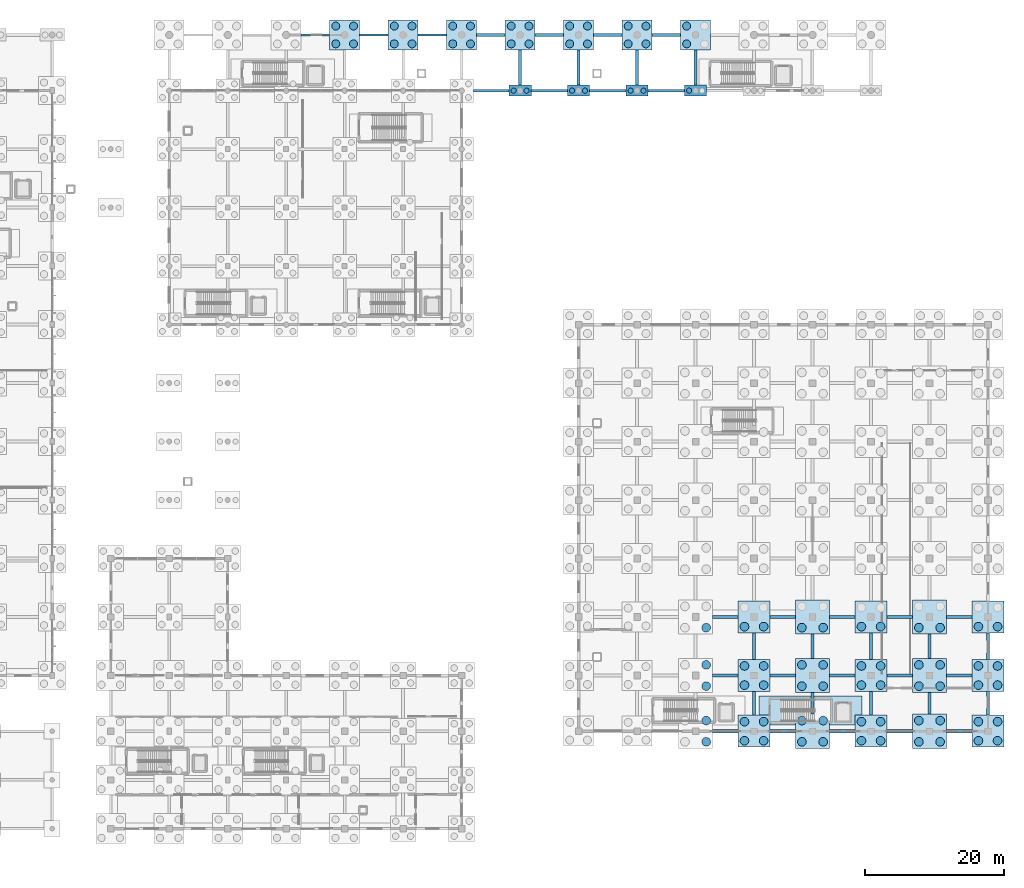
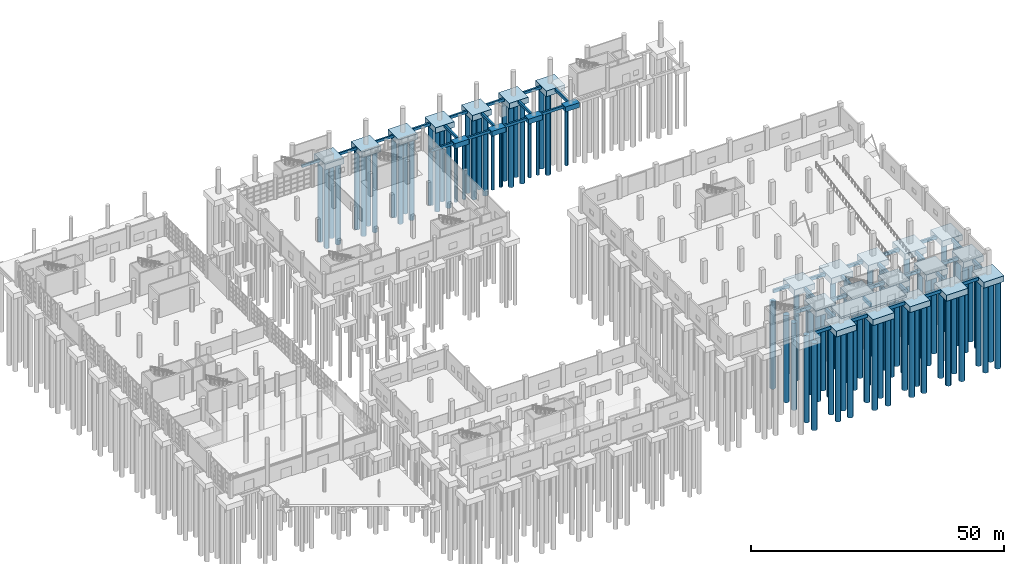
# One storey, part 8 of 83: 88 piles, 67 footings.
"""IFC4 building model written with IfcOpenShell, lengths in metres."""

from ifc_helpers import new_model, si_unit, direction, frame, origin, origin_2d, place, context, subcontext, project, spatial, rectangle, circle, extrude, material, material_profile, profile_set, type_object, element, save


model = new_model("IFC4")

# Units and contexts
model_context = context("Model", 3, precision=1e-05, world=origin(), true_north=direction((0.0, 1.0)))
body_context = subcontext(model_context, "Body", "Model", "MODEL_VIEW")
ifc_project = project(units=[si_unit("LENGTHUNIT", "METRE"), si_unit("AREAUNIT", "SQUARE_METRE"), si_unit("VOLUMEUNIT", "CUBIC_METRE"), si_unit("PLANEANGLEUNIT", "RADIAN"), si_unit("MASSUNIT", "GRAM", prefix="KILO"), si_unit("THERMODYNAMICTEMPERATUREUNIT", "KELVIN"), si_unit("POWERUNIT", "WATT")], contexts=[model_context])

# Site, building, storey
site_placement = place(None, origin())
site = spatial("IfcSite", under=ifc_project, at=site_placement, CompositionType="ELEMENT")
building_placement = place(site_placement, origin())
building = spatial("IfcBuilding", under=site, at=building_placement, Name="Mavoryth Pier Ferry Terminal", CompositionType="ELEMENT")
storey_placement = place(building_placement, origin())
storey = spatial("IfcBuildingStorey", under=building, at=storey_placement, Name="L00", CompositionType="ELEMENT", Elevation=0.0)

# Footings
ifc_material = material(Name="Concrete C35/45", Category="concrete")
footing_type_1 = type_object("IfcFootingType", Name="Cap-2P-3200x1600x1200", PredefinedType="PILE_CAP", material=ifc_material)
for number, where, z_axis, x_axis, name in (
    (1, (100.800048828125, 106.0, -1.66015625), (0.0, 0.0, 1.0), (1.0, 0.0, 0.0), "Foundation FD-V3-7-1"),
    (2, (109.199951171875, 106.0, -1.66015625), (0.0, 0.0, 1.0), (1.0, 0.0, 0.0), "Foundation FD-V3-8-1"),
    (3, (117.60009765625, 106.0, -1.66015625), (0.0, 0.0, 1.0), (1.0, 0.0, 0.0), "Foundation FD-V3-9-1"),
    (4, (126.0, 106.0, -1.66015625), (0.0, 0.0, 1.0), (1.0, 0.0, 0.0), "Foundation FD-V3-10-1"),
):
    element("IfcFooting", number, at=place(storey_placement, frame(where, z_axis=z_axis, x_axis=x_axis)), inside=storey, type_object=footing_type_1, Name=name, PredefinedType="PILE_CAP", context=body_context, shape_type="SweptSolid", body=[
        extrude(rectangle(XDim=3.199951171875, YDim=1.60009765625, at=origin_2d()), origin(), (0.0, 0.0, 1.0), 1.199951171875),
    ])
footing_type_2 = type_object("IfcFootingType", Name="Cap-4P-4300x4300x1350", PredefinedType="PILE_CAP", material=ifc_material)
for number, where, z_axis, x_axis, name in (
    (5, (75.60009765625, 114.0, -1.81005859375), (0.0, 0.0, 1.0), (1.0, 0.0, 0.0), "Foundation FD-V3-4-2"),
    (6, (84.0, 114.0, -1.81005859375), (0.0, 0.0, 1.0), (1.0, 0.0, 0.0), "Foundation FD-V3-5-2"),
    (7, (92.39990234375, 114.0, -1.81005859375), (0.0, 0.0, 1.0), (1.0, 0.0, 0.0), "Foundation FD-V3-6-2"),
    (8, (100.800048828125, 114.0, -1.81005859375), (0.0, 0.0, 1.0), (1.0, 0.0, 0.0), "Foundation FD-V3-7-2"),
    (9, (109.199951171875, 114.0, -1.81005859375), (0.0, 0.0, 1.0), (1.0, 0.0, 0.0), "Foundation FD-V3-8-2"),
    (10, (117.60009765625, 114.0, -1.81005859375), (0.0, 0.0, 1.0), (1.0, 0.0, 0.0), "Foundation FD-V3-9-2"),
    (11, (126.0, 114.0, -1.81005859375), (0.0, 0.0, 1.0), (1.0, 0.0, 0.0), "Foundation FD-V3-10-2"),
):
    element("IfcFooting", number, at=place(storey_placement, frame(where, z_axis=z_axis, x_axis=x_axis)), inside=storey, type_object=footing_type_2, Name=name, PredefinedType="PILE_CAP", context=body_context, shape_type="SweptSolid", body=[
        extrude(rectangle(XDim=4.300048828125, YDim=4.300048828125, at=origin_2d()), origin(), (0.0, 0.0, 1.0), 1.35009765625),
    ])
footing_type_3 = type_object("IfcFootingType", Name="Cap-4P-4600x4600x1400", PredefinedType="PILE_CAP", material=ifc_material)
for number, where, z_axis, x_axis, name in (
    (12, (134.39990234375, 14.0, -1.85986328125), (0.0, 0.0, 1.0), (1.0, 0.0, 0.0), "Foundation FD-V4-4-1"),
    (13, (134.39990234375, 22.0, -1.85986328125), (0.0, 0.0, 1.0), (1.0, 0.0, 0.0), "Foundation FD-V4-4-2"),
    (14, (134.39990234375, 30.39990234375, -1.85986328125), (0.0, 0.0, 1.0), (1.0, 0.0, 0.0), "Foundation FD-V4-4-3"),
    (15, (151.199951171875, 14.0, -1.85986328125), (0.0, 0.0, 1.0), (1.0, 0.0, 0.0), "Foundation FD-V4-6-1"),
    (16, (151.199951171875, 22.0, -1.85986328125), (0.0, 0.0, 1.0), (1.0, 0.0, 0.0), "Foundation FD-V4-6-2"),
    (17, (151.199951171875, 30.39990234375, -1.85986328125), (0.0, 0.0, 1.0), (1.0, 0.0, 0.0), "Foundation FD-V4-6-3"),
    (18, (168.0, 14.0, -1.85986328125), (0.0, 0.0, 1.0), (1.0, 0.0, 0.0), "Foundation FD-V4-8-1"),
    (19, (168.0, 22.0, -1.85986328125), (0.0, 0.0, 1.0), (1.0, 0.0, 0.0), "Foundation FD-V4-8-2"),
    (20, (168.0, 30.39990234375, -1.85986328125), (0.0, 0.0, 1.0), (1.0, 0.0, 0.0), "Foundation FD-V4-8-3"),
):
    element("IfcFooting", number, at=place(storey_placement, frame(where, z_axis=z_axis, x_axis=x_axis)), inside=storey, type_object=footing_type_3, Name=name, PredefinedType="PILE_CAP", context=body_context, shape_type="SweptSolid", body=[
        extrude(rectangle(XDim=4.60009765625, YDim=4.60009765625, at=origin_2d()), origin(), (0.0, 0.0, 1.0), 1.39990234375),
    ])
footing_type_4 = type_object("IfcFootingType", Name="Cap-4P-4900x4900x1450", PredefinedType="PILE_CAP", material=ifc_material)
for number, where, z_axis, x_axis, name in (
    (21, (142.800048828125, 14.0, -1.91015625), (0.0, 0.0, 1.0), (1.0, 0.0, 0.0), "Foundation FD-V4-5-1"),
    (22, (142.800048828125, 22.0, -1.91015625), (0.0, 0.0, 1.0), (1.0, 0.0, 0.0), "Foundation FD-V4-5-2"),
    (23, (142.800048828125, 30.39990234375, -1.91015625), (0.0, 0.0, 1.0), (1.0, 0.0, 0.0), "Foundation FD-V4-5-3"),
    (24, (159.60009765625, 14.0, -1.91015625), (0.0, 0.0, 1.0), (1.0, 0.0, 0.0), "Foundation FD-V4-7-1"),
    (25, (159.60009765625, 22.0, -1.91015625), (0.0, 0.0, 1.0), (1.0, 0.0, 0.0), "Foundation FD-V4-7-2"),
    (26, (159.60009765625, 30.39990234375, -1.91015625), (0.0, 0.0, 1.0), (1.0, 0.0, 0.0), "Foundation FD-V4-7-3"),
):
    element("IfcFooting", number, at=place(storey_placement, frame(where, z_axis=z_axis, x_axis=x_axis)), inside=storey, type_object=footing_type_4, Name=name, PredefinedType="PILE_CAP", context=body_context, shape_type="SweptSolid", body=[
        extrude(rectangle(XDim=4.89990234375, YDim=4.89990234375, at=origin_2d()), origin(), (0.0, 0.0, 1.0), 1.449951171875),
    ])
footing_type_5 = type_object("IfcFootingType", Name="Pad-CoreMat-14840x4100x460", PredefinedType="PAD_FOOTING", material=ifc_material)
footing_1_placement = place(storey_placement, frame((142.5, 16.97509765625, -0.4599609375), z_axis=(0.0, 0.0, 1.0), x_axis=(1.0, 0.0, 0.0)))
element("IfcFooting", 27, at=footing_1_placement, inside=storey, type_object=footing_type_5, Name="Core Foundation Mat C4B", PredefinedType="PAD_FOOTING", context=body_context, shape_type="SweptSolid", body=[
    extrude(rectangle(XDim=14.840087890625, YDim=4.10009765625, at=origin_2d()), origin(), (0.0, 0.0, 1.0), 0.4599609375),
])

# Piles
ifc_material_profile_1 = material_profile(ifc_material, circle(Radius=0.574951171875, at=origin_2d()), Name="PILE D1150", Category="concrete")
ifc_profile_set_1 = profile_set([ifc_material_profile_1], Name="Concrete C35/45 - PILE D1150")
pile_type_1 = type_object("IfcPileType", Name="Pile-Bored-D1150", PredefinedType="BORED", material=ifc_profile_set_1)
for number, where, z_axis, x_axis, name in (
    (28, (74.324951171875, 112.72509765625, -1.7099609375), (0.0, 0.0, -1.0), (1.0, 0.0, 0.0), "Bored Pile FD-V3-4-2-P1"),
    (29, (76.875, 112.72509765625, -1.7099609375), (0.0, 0.0, -1.0), (1.0, 0.0, 0.0), "Bored Pile FD-V3-4-2-P2"),
    (30, (74.324951171875, 115.27490234375, -1.7099609375), (0.0, 0.0, -1.0), (1.0, 0.0, 0.0), "Bored Pile FD-V3-4-2-P3"),
    (31, (76.875, 115.27490234375, -1.7099609375), (0.0, 0.0, -1.0), (1.0, 0.0, 0.0), "Bored Pile FD-V3-4-2-P4"),
    (32, (82.72509765625, 112.72509765625, -1.7099609375), (0.0, 0.0, -1.0), (1.0, 0.0, 0.0), "Bored Pile FD-V3-5-2-P1"),
    (33, (85.27490234375, 112.72509765625, -1.7099609375), (0.0, 0.0, -1.0), (1.0, 0.0, 0.0), "Bored Pile FD-V3-5-2-P2"),
    (34, (82.72509765625, 115.27490234375, -1.7099609375), (0.0, 0.0, -1.0), (1.0, 0.0, 0.0), "Bored Pile FD-V3-5-2-P3"),
    (35, (85.27490234375, 115.27490234375, -1.7099609375), (0.0, 0.0, -1.0), (1.0, 0.0, 0.0), "Bored Pile FD-V3-5-2-P4"),
    (36, (91.125, 112.72509765625, -1.7099609375), (0.0, 0.0, -1.0), (1.0, 0.0, 0.0), "Bored Pile FD-V3-6-2-P1"),
    (37, (93.675048828125, 112.72509765625, -1.7099609375), (0.0, 0.0, -1.0), (1.0, 0.0, 0.0), "Bored Pile FD-V3-6-2-P2"),
    (38, (91.125, 115.27490234375, -1.7099609375), (0.0, 0.0, -1.0), (1.0, 0.0, 0.0), "Bored Pile FD-V3-6-2-P3"),
    (39, (93.675048828125, 115.27490234375, -1.7099609375), (0.0, 0.0, -1.0), (1.0, 0.0, 0.0), "Bored Pile FD-V3-6-2-P4"),
    (40, (99.52490234375, 112.72509765625, -1.7099609375), (0.0, 0.0, -1.0), (1.0, 0.0, 0.0), "Bored Pile FD-V3-7-2-P1"),
    (41, (102.074951171875, 112.72509765625, -1.7099609375), (0.0, 0.0, -1.0), (1.0, 0.0, 0.0), "Bored Pile FD-V3-7-2-P2"),
    (42, (99.52490234375, 115.27490234375, -1.7099609375), (0.0, 0.0, -1.0), (1.0, 0.0, 0.0), "Bored Pile FD-V3-7-2-P3"),
    (43, (102.074951171875, 115.27490234375, -1.7099609375), (0.0, 0.0, -1.0), (1.0, 0.0, 0.0), "Bored Pile FD-V3-7-2-P4"),
    (44, (107.925048828125, 112.72509765625, -1.7099609375), (0.0, 0.0, -1.0), (1.0, 0.0, 0.0), "Bored Pile FD-V3-8-2-P1"),
    (45, (110.47509765625, 112.72509765625, -1.7099609375), (0.0, 0.0, -1.0), (1.0, 0.0, 0.0), "Bored Pile FD-V3-8-2-P2"),
    (46, (107.925048828125, 115.27490234375, -1.7099609375), (0.0, 0.0, -1.0), (1.0, 0.0, 0.0), "Bored Pile FD-V3-8-2-P3"),
    (47, (110.47509765625, 115.27490234375, -1.7099609375), (0.0, 0.0, -1.0), (1.0, 0.0, 0.0), "Bored Pile FD-V3-8-2-P4"),
    (48, (116.324951171875, 112.72509765625, -1.7099609375), (0.0, 0.0, -1.0), (1.0, 0.0, 0.0), "Bored Pile FD-V3-9-2-P1"),
    (49, (118.875, 112.72509765625, -1.7099609375), (0.0, 0.0, -1.0), (1.0, 0.0, 0.0), "Bored Pile FD-V3-9-2-P2"),
    (50, (116.324951171875, 115.27490234375, -1.7099609375), (0.0, 0.0, -1.0), (1.0, 0.0, 0.0), "Bored Pile FD-V3-9-2-P3"),
    (51, (118.875, 115.27490234375, -1.7099609375), (0.0, 0.0, -1.0), (1.0, 0.0, 0.0), "Bored Pile FD-V3-9-2-P4"),
    (52, (124.72509765625, 112.72509765625, -1.7099609375), (0.0, 0.0, -1.0), (1.0, 0.0, 0.0), "Bored Pile FD-V3-10-2-P1"),
    (53, (124.72509765625, 115.27490234375, -1.7099609375), (0.0, 0.0, -1.0), (1.0, 0.0, 0.0), "Bored Pile FD-V3-10-2-P3"),
):
    element("IfcPile", number, at=place(storey_placement, frame(where, z_axis=z_axis, x_axis=x_axis)), inside=storey, type_object=pile_type_1, Name=name, PredefinedType="BORED", context=body_context, shape_type="SweptSolid", body=[
        extrude(circle(Radius=0.574951171875, at=origin_2d()), origin(), (0.0, 0.0, 1.0), 19.5),
    ])
ifc_material_profile_2 = material_profile(ifc_material, circle(Radius=0.625, at=origin_2d()), Name="PILE D1250", Category="concrete")
ifc_profile_set_2 = profile_set([ifc_material_profile_2], Name="Concrete C35/45 - PILE D1250")
pile_type_2 = type_object("IfcPileType", Name="Pile-Bored-D1250", PredefinedType="BORED", material=ifc_profile_set_2)
for number, where, z_axis, x_axis, name in (
    (54, (127.52490234375, 12.47509765625, -1.81005859375), (0.0, 0.0, -1.0), (1.0, 0.0, 0.0), "Bored Pile FD-V4-3-1-P2"),
    (55, (127.52490234375, 15.52490234375, -1.81005859375), (0.0, 0.0, -1.0), (1.0, 0.0, 0.0), "Bored Pile FD-V4-3-1-P4"),
    (56, (127.52490234375, 20.47509765625, -1.81005859375), (0.0, 0.0, -1.0), (1.0, 0.0, 0.0), "Bored Pile FD-V4-3-2-P2"),
    (57, (127.52490234375, 23.52490234375, -1.81005859375), (0.0, 0.0, -1.0), (1.0, 0.0, 0.0), "Bored Pile FD-V4-3-2-P4"),
    (58, (127.52490234375, 28.875, -1.81005859375), (0.0, 0.0, -1.0), (1.0, 0.0, 0.0), "Bored Pile FD-V4-3-3-P2"),
    (59, (133.02490234375, 12.625, -1.760009765625), (0.0, 0.0, -1.0), (1.0, 0.0, 0.0), "Bored Pile FD-V4-4-1-P1"),
    (60, (135.77490234375, 12.625, -1.760009765625), (0.0, 0.0, -1.0), (1.0, 0.0, 0.0), "Bored Pile FD-V4-4-1-P2"),
    (61, (133.02490234375, 15.375, -1.760009765625), (0.0, 0.0, -1.0), (1.0, 0.0, 0.0), "Bored Pile FD-V4-4-1-P3"),
    (62, (135.77490234375, 15.375, -1.760009765625), (0.0, 0.0, -1.0), (1.0, 0.0, 0.0), "Bored Pile FD-V4-4-1-P4"),
    (63, (133.02490234375, 20.625, -1.760009765625), (0.0, 0.0, -1.0), (1.0, 0.0, 0.0), "Bored Pile FD-V4-4-2-P1"),
    (64, (135.77490234375, 20.625, -1.760009765625), (0.0, 0.0, -1.0), (1.0, 0.0, 0.0), "Bored Pile FD-V4-4-2-P2"),
    (65, (133.02490234375, 23.375, -1.760009765625), (0.0, 0.0, -1.0), (1.0, 0.0, 0.0), "Bored Pile FD-V4-4-2-P3"),
    (66, (135.77490234375, 23.375, -1.760009765625), (0.0, 0.0, -1.0), (1.0, 0.0, 0.0), "Bored Pile FD-V4-4-2-P4"),
    (67, (133.02490234375, 29.02490234375, -1.760009765625), (0.0, 0.0, -1.0), (1.0, 0.0, 0.0), "Bored Pile FD-V4-4-3-P1"),
    (68, (135.77490234375, 29.02490234375, -1.760009765625), (0.0, 0.0, -1.0), (1.0, 0.0, 0.0), "Bored Pile FD-V4-4-3-P2"),
    (69, (141.27490234375, 12.47509765625, -1.81005859375), (0.0, 0.0, -1.0), (1.0, 0.0, 0.0), "Bored Pile FD-V4-5-1-P1"),
    (70, (144.324951171875, 12.47509765625, -1.81005859375), (0.0, 0.0, -1.0), (1.0, 0.0, 0.0), "Bored Pile FD-V4-5-1-P2"),
    (71, (141.27490234375, 15.52490234375, -1.81005859375), (0.0, 0.0, -1.0), (1.0, 0.0, 0.0), "Bored Pile FD-V4-5-1-P3"),
    (72, (144.324951171875, 15.52490234375, -1.81005859375), (0.0, 0.0, -1.0), (1.0, 0.0, 0.0), "Bored Pile FD-V4-5-1-P4"),
    (73, (141.27490234375, 20.47509765625, -1.81005859375), (0.0, 0.0, -1.0), (1.0, 0.0, 0.0), "Bored Pile FD-V4-5-2-P1"),
    (74, (144.324951171875, 20.47509765625, -1.81005859375), (0.0, 0.0, -1.0), (1.0, 0.0, 0.0), "Bored Pile FD-V4-5-2-P2"),
    (75, (141.27490234375, 23.52490234375, -1.81005859375), (0.0, 0.0, -1.0), (1.0, 0.0, 0.0), "Bored Pile FD-V4-5-2-P3"),
    (76, (144.324951171875, 23.52490234375, -1.81005859375), (0.0, 0.0, -1.0), (1.0, 0.0, 0.0), "Bored Pile FD-V4-5-2-P4"),
    (77, (141.27490234375, 28.875, -1.81005859375), (0.0, 0.0, -1.0), (1.0, 0.0, 0.0), "Bored Pile FD-V4-5-3-P1"),
    (78, (144.324951171875, 28.875, -1.81005859375), (0.0, 0.0, -1.0), (1.0, 0.0, 0.0), "Bored Pile FD-V4-5-3-P2"),
    (79, (149.824951171875, 12.625, -1.760009765625), (0.0, 0.0, -1.0), (1.0, 0.0, 0.0), "Bored Pile FD-V4-6-1-P1"),
    (80, (152.574951171875, 12.625, -1.760009765625), (0.0, 0.0, -1.0), (1.0, 0.0, 0.0), "Bored Pile FD-V4-6-1-P2"),
    (81, (149.824951171875, 15.375, -1.760009765625), (0.0, 0.0, -1.0), (1.0, 0.0, 0.0), "Bored Pile FD-V4-6-1-P3"),
    (82, (152.574951171875, 15.375, -1.760009765625), (0.0, 0.0, -1.0), (1.0, 0.0, 0.0), "Bored Pile FD-V4-6-1-P4"),
    (83, (149.824951171875, 20.625, -1.760009765625), (0.0, 0.0, -1.0), (1.0, 0.0, 0.0), "Bored Pile FD-V4-6-2-P1"),
    (84, (152.574951171875, 20.625, -1.760009765625), (0.0, 0.0, -1.0), (1.0, 0.0, 0.0), "Bored Pile FD-V4-6-2-P2"),
    (85, (149.824951171875, 23.375, -1.760009765625), (0.0, 0.0, -1.0), (1.0, 0.0, 0.0), "Bored Pile FD-V4-6-2-P3"),
    (86, (152.574951171875, 23.375, -1.760009765625), (0.0, 0.0, -1.0), (1.0, 0.0, 0.0), "Bored Pile FD-V4-6-2-P4"),
    (87, (149.824951171875, 29.02490234375, -1.760009765625), (0.0, 0.0, -1.0), (1.0, 0.0, 0.0), "Bored Pile FD-V4-6-3-P1"),
    (88, (152.574951171875, 29.02490234375, -1.760009765625), (0.0, 0.0, -1.0), (1.0, 0.0, 0.0), "Bored Pile FD-V4-6-3-P2"),
    (89, (158.074951171875, 12.47509765625, -1.81005859375), (0.0, 0.0, -1.0), (1.0, 0.0, 0.0), "Bored Pile FD-V4-7-1-P1"),
    (90, (161.125, 12.47509765625, -1.81005859375), (0.0, 0.0, -1.0), (1.0, 0.0, 0.0), "Bored Pile FD-V4-7-1-P2"),
    (91, (158.074951171875, 15.52490234375, -1.81005859375), (0.0, 0.0, -1.0), (1.0, 0.0, 0.0), "Bored Pile FD-V4-7-1-P3"),
    (92, (161.125, 15.52490234375, -1.81005859375), (0.0, 0.0, -1.0), (1.0, 0.0, 0.0), "Bored Pile FD-V4-7-1-P4"),
    (93, (158.074951171875, 20.47509765625, -1.81005859375), (0.0, 0.0, -1.0), (1.0, 0.0, 0.0), "Bored Pile FD-V4-7-2-P1"),
    (94, (161.125, 20.47509765625, -1.81005859375), (0.0, 0.0, -1.0), (1.0, 0.0, 0.0), "Bored Pile FD-V4-7-2-P2"),
    (95, (158.074951171875, 23.52490234375, -1.81005859375), (0.0, 0.0, -1.0), (1.0, 0.0, 0.0), "Bored Pile FD-V4-7-2-P3"),
    (96, (161.125, 23.52490234375, -1.81005859375), (0.0, 0.0, -1.0), (1.0, 0.0, 0.0), "Bored Pile FD-V4-7-2-P4"),
    (97, (158.074951171875, 28.875, -1.81005859375), (0.0, 0.0, -1.0), (1.0, 0.0, 0.0), "Bored Pile FD-V4-7-3-P1"),
    (98, (161.125, 28.875, -1.81005859375), (0.0, 0.0, -1.0), (1.0, 0.0, 0.0), "Bored Pile FD-V4-7-3-P2"),
    (99, (166.625, 12.625, -1.760009765625), (0.0, 0.0, -1.0), (1.0, 0.0, 0.0), "Bored Pile FD-V4-8-1-P1"),
    (100, (169.375, 12.625, -1.760009765625), (0.0, 0.0, -1.0), (1.0, 0.0, 0.0), "Bored Pile FD-V4-8-1-P2"),
    (101, (166.625, 15.375, -1.760009765625), (0.0, 0.0, -1.0), (1.0, 0.0, 0.0), "Bored Pile FD-V4-8-1-P3"),
    (102, (169.375, 15.375, -1.760009765625), (0.0, 0.0, -1.0), (1.0, 0.0, 0.0), "Bored Pile FD-V4-8-1-P4"),
    (103, (166.625, 20.625, -1.760009765625), (0.0, 0.0, -1.0), (1.0, 0.0, 0.0), "Bored Pile FD-V4-8-2-P1"),
    (104, (169.375, 20.625, -1.760009765625), (0.0, 0.0, -1.0), (1.0, 0.0, 0.0), "Bored Pile FD-V4-8-2-P2"),
    (105, (166.625, 23.375, -1.760009765625), (0.0, 0.0, -1.0), (1.0, 0.0, 0.0), "Bored Pile FD-V4-8-2-P3"),
    (106, (169.375, 23.375, -1.760009765625), (0.0, 0.0, -1.0), (1.0, 0.0, 0.0), "Bored Pile FD-V4-8-2-P4"),
    (107, (166.625, 29.02490234375, -1.760009765625), (0.0, 0.0, -1.0), (1.0, 0.0, 0.0), "Bored Pile FD-V4-8-3-P1"),
    (108, (169.375, 29.02490234375, -1.760009765625), (0.0, 0.0, -1.0), (1.0, 0.0, 0.0), "Bored Pile FD-V4-8-3-P2"),
):
    element("IfcPile", number, at=place(storey_placement, frame(where, z_axis=z_axis, x_axis=x_axis)), inside=storey, type_object=pile_type_2, Name=name, PredefinedType="BORED", context=body_context, shape_type="SweptSolid", body=[
        extrude(circle(Radius=0.625, at=origin_2d()), origin(), (0.0, 0.0, 1.0), 21.0),
    ])
ifc_material_profile_3 = material_profile(ifc_material, circle(Radius=0.375, at=origin_2d()), Name="PILE D750", Category="concrete")
ifc_profile_set_3 = profile_set([ifc_material_profile_3], Name="Concrete C35/45 - PILE D750")
pile_type_3 = type_object("IfcPileType", Name="Pile-Bored-D750", PredefinedType="BORED", material=ifc_profile_set_3)
for number, where, z_axis, x_axis, name in (
    (109, (99.875, 106.0, -1.56005859375), (0.0, 0.0, -1.0), (1.0, 0.0, 0.0), "Bored Pile FD-V3-7-1-P1"),
    (110, (101.72509765625, 106.0, -1.56005859375), (0.0, 0.0, -1.0), (1.0, 0.0, 0.0), "Bored Pile FD-V3-7-1-P2"),
    (111, (108.27490234375, 106.0, -1.56005859375), (0.0, 0.0, -1.0), (1.0, 0.0, 0.0), "Bored Pile FD-V3-8-1-P1"),
    (112, (110.125, 106.0, -1.56005859375), (0.0, 0.0, -1.0), (1.0, 0.0, 0.0), "Bored Pile FD-V3-8-1-P2"),
    (113, (116.675048828125, 106.0, -1.56005859375), (0.0, 0.0, -1.0), (1.0, 0.0, 0.0), "Bored Pile FD-V3-9-1-P1"),
    (114, (118.52490234375, 106.0, -1.56005859375), (0.0, 0.0, -1.0), (1.0, 0.0, 0.0), "Bored Pile FD-V3-9-1-P2"),
    (115, (125.074951171875, 106.0, -1.56005859375), (0.0, 0.0, -1.0), (1.0, 0.0, 0.0), "Bored Pile FD-V3-10-1-P1"),
):
    element("IfcPile", number, at=place(storey_placement, frame(where, z_axis=z_axis, x_axis=x_axis)), inside=storey, type_object=pile_type_3, Name=name, PredefinedType="BORED", context=body_context, shape_type="SweptSolid", body=[
        extrude(circle(Radius=0.375, at=origin_2d()), origin(), (0.0, 0.0, 1.0), 13.5),
    ])

# Footings
ifc_material_profile_4 = material_profile(ifc_material, rectangle(XDim=0.35009765625, YDim=0.60009765625, at=origin_2d()), Name="RC 350x600", Category="concrete")
ifc_profile_set_4 = profile_set([ifc_material_profile_4], Name="Concrete C35/45 - RC 350x600")
footing_type_6 = type_object("IfcFootingType", Name="TieBeam-RC-350x600", PredefinedType="FOOTING_BEAM", material=ifc_profile_set_4)
footing_2_placement = place(storey_placement, frame((69.35009765625, 114.0, -0.760009765625), z_axis=(1.0, 0.0, 0.0), x_axis=(0.0, 1.0, 0.0)))
element("IfcFooting", 116, at=footing_2_placement, inside=storey, type_object=footing_type_6, Name="Footing Tie Beam 153", PredefinedType="FOOTING_BEAM", context=body_context, shape_type="SweptSolid", body=[
    extrude(rectangle(XDim=0.35009765625, YDim=0.60009765625, at=origin_2d()), origin(), (0.0, 0.0, 1.0), 4.099853515625),
])
for number, where, z_axis, x_axis, name in (
    (117, (77.75, 114.0, -0.760009765625), (1.0, 0.0, 0.0), (0.0, 1.0, 0.0), "Footing Tie Beam 154"),
    (118, (86.14990234375, 114.0, -0.760009765625), (1.0, 0.0, 0.0), (0.0, 1.0, 0.0), "Footing Tie Beam 155"),
):
    element("IfcFooting", number, at=place(storey_placement, frame(where, z_axis=z_axis, x_axis=x_axis)), inside=storey, type_object=footing_type_6, Name=name, PredefinedType="FOOTING_BEAM", context=body_context, shape_type="SweptSolid", body=[
        extrude(rectangle(XDim=0.35009765625, YDim=0.60009765625, at=origin_2d()), origin(), (0.0, 0.0, 1.0), 4.10009765625),
    ])
ifc_material_profile_5 = material_profile(ifc_material, rectangle(XDim=0.39990234375, YDim=0.64990234375, at=origin_2d()), Name="RC 400x650", Category="concrete")
ifc_profile_set_5 = profile_set([ifc_material_profile_5], Name="Concrete C35/45 - RC 400x650")
footing_type_7 = type_object("IfcFootingType", Name="TieBeam-RC-400x650", PredefinedType="FOOTING_BEAM", material=ifc_profile_set_5)
footing_3_placement = place(storey_placement, frame((94.10009765625, 106.0, -0.784912109375), z_axis=(1.0, 0.0, 0.0), x_axis=(0.0, 1.0, 0.0)))
element("IfcFooting", 119, at=footing_3_placement, inside=storey, type_object=footing_type_7, Name="Footing Tie Beam 186", PredefinedType="FOOTING_BEAM", context=body_context, shape_type="SweptSolid", body=[
    extrude(rectangle(XDim=0.39990234375, YDim=0.64990234375, at=origin_2d()), origin(), (0.0, 0.0, 1.0), 5.099853515625),
])
footing_4_placement = place(storey_placement, frame((102.39990234375, 106.0, -0.784912109375), z_axis=(1.0, 0.0, 0.0), x_axis=(0.0, 1.0, 0.0)))
element("IfcFooting", 120, at=footing_4_placement, inside=storey, type_object=footing_type_7, Name="Footing Tie Beam 187", PredefinedType="FOOTING_BEAM", context=body_context, shape_type="SweptSolid", body=[
    extrude(rectangle(XDim=0.39990234375, YDim=0.64990234375, at=origin_2d()), origin(), (0.0, 0.0, 1.0), 5.2001953125),
])
for number, where, z_axis, x_axis, name in (
    (121, (110.800048828125, 106.0, -0.784912109375), (1.0, 0.0, 0.0), (0.0, 1.0, 0.0), "Footing Tie Beam 188"),
    (122, (119.199951171875, 106.0, -0.784912109375), (1.0, 0.0, 0.0), (0.0, 1.0, 0.0), "Footing Tie Beam 189"),
):
    element("IfcFooting", number, at=place(storey_placement, frame(where, z_axis=z_axis, x_axis=x_axis)), inside=storey, type_object=footing_type_7, Name=name, PredefinedType="FOOTING_BEAM", context=body_context, shape_type="SweptSolid", body=[
        extrude(rectangle(XDim=0.39990234375, YDim=0.64990234375, at=origin_2d()), origin(), (0.0, 0.0, 1.0), 5.199951171875),
    ])
footing_5_placement = place(storey_placement, frame((94.550048828125, 114.0, -0.784912109375), z_axis=(1.0, 0.0, 0.0), x_axis=(0.0, 1.0, 0.0)))
element("IfcFooting", 123, at=footing_5_placement, inside=storey, type_object=footing_type_7, Name="Footing Tie Beam 193", PredefinedType="FOOTING_BEAM", context=body_context, shape_type="SweptSolid", body=[
    extrude(rectangle(XDim=0.39990234375, YDim=0.64990234375, at=origin_2d()), origin(), (0.0, 0.0, 1.0), 4.099853515625),
])
footing_6_placement = place(storey_placement, frame((102.949951171875, 114.0, -0.784912109375), z_axis=(1.0, 0.0, 0.0), x_axis=(0.0, 1.0, 0.0)))
element("IfcFooting", 124, at=footing_6_placement, inside=storey, type_object=footing_type_7, Name="Footing Tie Beam 194", PredefinedType="FOOTING_BEAM", context=body_context, shape_type="SweptSolid", body=[
    extrude(rectangle(XDim=0.39990234375, YDim=0.64990234375, at=origin_2d()), origin(), (0.0, 0.0, 1.0), 4.10009765625),
])
footing_7_placement = place(storey_placement, frame((111.35009765625, 114.0, -0.784912109375), z_axis=(1.0, 0.0, 0.0), x_axis=(0.0, 1.0, 0.0)))
element("IfcFooting", 125, at=footing_7_placement, inside=storey, type_object=footing_type_7, Name="Footing Tie Beam 195", PredefinedType="FOOTING_BEAM", context=body_context, shape_type="SweptSolid", body=[
    extrude(rectangle(XDim=0.39990234375, YDim=0.64990234375, at=origin_2d()), origin(), (0.0, 0.0, 1.0), 4.099853515625),
])
footing_8_placement = place(storey_placement, frame((119.75, 114.0, -0.784912109375), z_axis=(1.0, 0.0, 0.0), x_axis=(0.0, 1.0, 0.0)))
element("IfcFooting", 126, at=footing_8_placement, inside=storey, type_object=footing_type_7, Name="Footing Tie Beam 196", PredefinedType="FOOTING_BEAM", context=body_context, shape_type="SweptSolid", body=[
    extrude(rectangle(XDim=0.39990234375, YDim=0.64990234375, at=origin_2d()), origin(), (0.0, 0.0, 1.0), 4.10009765625),
])
for number, where, z_axis, x_axis, name in (
    (127, (100.800048828125, 106.800048828125, -0.784912109375), (0.0, 1.0, 0.0), (-1.0, 0.0, 0.0), "Footing Tie Beam 200"),
    (128, (109.199951171875, 106.800048828125, -0.784912109375), (0.0, 1.0, 0.0), (-1.0, 0.0, 0.0), "Footing Tie Beam 201"),
    (129, (117.60009765625, 106.800048828125, -0.784912109375), (0.0, 1.0, 0.0), (-1.0, 0.0, 0.0), "Footing Tie Beam 202"),
    (130, (126.0, 106.800048828125, -0.784912109375), (0.0, 1.0, 0.0), (-1.0, 0.0, 0.0), "Footing Tie Beam 203"),
):
    element("IfcFooting", number, at=place(storey_placement, frame(where, z_axis=z_axis, x_axis=x_axis)), inside=storey, type_object=footing_type_7, Name=name, PredefinedType="FOOTING_BEAM", context=body_context, shape_type="SweptSolid", body=[
        extrude(rectangle(XDim=0.39990234375, YDim=0.64990234375, at=origin_2d()), origin(), (0.0, 0.0, 1.0), 5.050048828125),
    ])
ifc_material_profile_6 = material_profile(ifc_material, rectangle(XDim=0.449951171875, YDim=0.75, at=origin_2d()), Name="RC 450x750", Category="concrete")
ifc_profile_set_6 = profile_set([ifc_material_profile_6], Name="Concrete C35/45 - RC 450x750")
footing_type_8 = type_object("IfcFootingType", Name="TieBeam-RC-450x750", PredefinedType="FOOTING_BEAM", material=ifc_profile_set_6)
for number, where, z_axis, x_axis, name in (
    (131, (128.449951171875, 14.0, -0.8349609375), (1.0, 0.0, 0.0), (0.0, 1.0, 0.0), "Footing Tie Beam 209"),
    (132, (136.699951171875, 14.0, -0.8349609375), (1.0, 0.0, 0.0), (0.0, 1.0, 0.0), "Footing Tie Beam 210"),
):
    element("IfcFooting", number, at=place(storey_placement, frame(where, z_axis=z_axis, x_axis=x_axis)), inside=storey, type_object=footing_type_8, Name=name, PredefinedType="FOOTING_BEAM", context=body_context, shape_type="SweptSolid", body=[
        extrude(rectangle(XDim=0.449951171875, YDim=0.75, at=origin_2d()), origin(), (0.0, 0.0, 1.0), 3.650146484375),
    ])
for number, where, z_axis, x_axis, name in (
    (133, (145.25, 14.0, -0.8349609375), (1.0, 0.0, 0.0), (0.0, 1.0, 0.0), "Footing Tie Beam 211"),
    (134, (153.5, 14.0, -0.8349609375), (1.0, 0.0, 0.0), (0.0, 1.0, 0.0), "Footing Tie Beam 212"),
    (135, (162.050048828125, 14.0, -0.8349609375), (1.0, 0.0, 0.0), (0.0, 1.0, 0.0), "Footing Tie Beam 213"),
):
    element("IfcFooting", number, at=place(storey_placement, frame(where, z_axis=z_axis, x_axis=x_axis)), inside=storey, type_object=footing_type_8, Name=name, PredefinedType="FOOTING_BEAM", context=body_context, shape_type="SweptSolid", body=[
        extrude(rectangle(XDim=0.449951171875, YDim=0.75, at=origin_2d()), origin(), (0.0, 0.0, 1.0), 3.64990234375),
    ])
for number, where, z_axis, x_axis, name in (
    (136, (128.449951171875, 22.0, -0.8349609375), (1.0, 0.0, 0.0), (0.0, 1.0, 0.0), "Footing Tie Beam 216"),
    (137, (136.699951171875, 22.0, -0.8349609375), (1.0, 0.0, 0.0), (0.0, 1.0, 0.0), "Footing Tie Beam 217"),
):
    element("IfcFooting", number, at=place(storey_placement, frame(where, z_axis=z_axis, x_axis=x_axis)), inside=storey, type_object=footing_type_8, Name=name, PredefinedType="FOOTING_BEAM", context=body_context, shape_type="SweptSolid", body=[
        extrude(rectangle(XDim=0.449951171875, YDim=0.75, at=origin_2d()), origin(), (0.0, 0.0, 1.0), 3.650146484375),
    ])
for number, where, z_axis, x_axis, name in (
    (138, (145.25, 22.0, -0.8349609375), (1.0, 0.0, 0.0), (0.0, 1.0, 0.0), "Footing Tie Beam 218"),
    (139, (153.5, 22.0, -0.8349609375), (1.0, 0.0, 0.0), (0.0, 1.0, 0.0), "Footing Tie Beam 219"),
    (140, (162.050048828125, 22.0, -0.8349609375), (1.0, 0.0, 0.0), (0.0, 1.0, 0.0), "Footing Tie Beam 220"),
):
    element("IfcFooting", number, at=place(storey_placement, frame(where, z_axis=z_axis, x_axis=x_axis)), inside=storey, type_object=footing_type_8, Name=name, PredefinedType="FOOTING_BEAM", context=body_context, shape_type="SweptSolid", body=[
        extrude(rectangle(XDim=0.449951171875, YDim=0.75, at=origin_2d()), origin(), (0.0, 0.0, 1.0), 3.64990234375),
    ])
for number, where, z_axis, x_axis, name in (
    (141, (128.449951171875, 30.39990234375, -0.8349609375), (1.0, 0.0, 0.0), (0.0, 1.0, 0.0), "Footing Tie Beam 223"),
    (142, (136.699951171875, 30.39990234375, -0.8349609375), (1.0, 0.0, 0.0), (0.0, 1.0, 0.0), "Footing Tie Beam 224"),
):
    element("IfcFooting", number, at=place(storey_placement, frame(where, z_axis=z_axis, x_axis=x_axis)), inside=storey, type_object=footing_type_8, Name=name, PredefinedType="FOOTING_BEAM", context=body_context, shape_type="SweptSolid", body=[
        extrude(rectangle(XDim=0.449951171875, YDim=0.75, at=origin_2d()), origin(), (0.0, 0.0, 1.0), 3.650146484375),
    ])
for number, where, z_axis, x_axis, name in (
    (143, (145.25, 30.39990234375, -0.8349609375), (1.0, 0.0, 0.0), (0.0, 1.0, 0.0), "Footing Tie Beam 225"),
    (144, (153.5, 30.39990234375, -0.8349609375), (1.0, 0.0, 0.0), (0.0, 1.0, 0.0), "Footing Tie Beam 226"),
    (145, (162.050048828125, 30.39990234375, -0.8349609375), (1.0, 0.0, 0.0), (0.0, 1.0, 0.0), "Footing Tie Beam 227"),
):
    element("IfcFooting", number, at=place(storey_placement, frame(where, z_axis=z_axis, x_axis=x_axis)), inside=storey, type_object=footing_type_8, Name=name, PredefinedType="FOOTING_BEAM", context=body_context, shape_type="SweptSolid", body=[
        extrude(rectangle(XDim=0.449951171875, YDim=0.75, at=origin_2d()), origin(), (0.0, 0.0, 1.0), 3.64990234375),
    ])
footing_9_placement = place(storey_placement, frame((134.39990234375, 16.300048828125, -0.8349609375), z_axis=(0.0, 1.0, 0.0), x_axis=(-1.0, 0.0, 0.0)))
element("IfcFooting", 146, at=footing_9_placement, inside=storey, type_object=footing_type_8, Name="Footing Tie Beam 284", PredefinedType="FOOTING_BEAM", context=body_context, shape_type="SweptSolid", body=[
    extrude(rectangle(XDim=0.449951171875, YDim=0.75, at=origin_2d()), origin(), (0.0, 0.0, 1.0), 3.39990234375),
])
footing_10_placement = place(storey_placement, frame((134.39990234375, 24.300048828125, -0.8349609375), z_axis=(0.0, 1.0, 0.0), x_axis=(-1.0, 0.0, 0.0)))
element("IfcFooting", 147, at=footing_10_placement, inside=storey, type_object=footing_type_8, Name="Footing Tie Beam 285", PredefinedType="FOOTING_BEAM", context=body_context, shape_type="SweptSolid", body=[
    extrude(rectangle(XDim=0.449951171875, YDim=0.75, at=origin_2d()), origin(), (0.0, 0.0, 1.0), 3.800048828125),
])
footing_11_placement = place(storey_placement, frame((142.800048828125, 16.449951171875, -0.8349609375), z_axis=(0.0, 1.0, 0.0), x_axis=(-1.0, 0.0, 0.0)))
element("IfcFooting", 148, at=footing_11_placement, inside=storey, type_object=footing_type_8, Name="Footing Tie Beam 291", PredefinedType="FOOTING_BEAM", context=body_context, shape_type="SweptSolid", body=[
    extrude(rectangle(XDim=0.449951171875, YDim=0.75, at=origin_2d()), origin(), (0.0, 0.0, 1.0), 3.10009765625),
])
footing_12_placement = place(storey_placement, frame((142.800048828125, 24.449951171875, -0.8349609375), z_axis=(0.0, 1.0, 0.0), x_axis=(-1.0, 0.0, 0.0)))
element("IfcFooting", 149, at=footing_12_placement, inside=storey, type_object=footing_type_8, Name="Footing Tie Beam 292", PredefinedType="FOOTING_BEAM", context=body_context, shape_type="SweptSolid", body=[
    extrude(rectangle(XDim=0.449951171875, YDim=0.75, at=origin_2d()), origin(), (0.0, 0.0, 1.0), 3.5),
])
footing_13_placement = place(storey_placement, frame((151.199951171875, 16.300048828125, -0.8349609375), z_axis=(0.0, 1.0, 0.0), x_axis=(-1.0, 0.0, 0.0)))
element("IfcFooting", 150, at=footing_13_placement, inside=storey, type_object=footing_type_8, Name="Footing Tie Beam 298", PredefinedType="FOOTING_BEAM", context=body_context, shape_type="SweptSolid", body=[
    extrude(rectangle(XDim=0.449951171875, YDim=0.75, at=origin_2d()), origin(), (0.0, 0.0, 1.0), 3.39990234375),
])
footing_14_placement = place(storey_placement, frame((151.199951171875, 24.300048828125, -0.8349609375), z_axis=(0.0, 1.0, 0.0), x_axis=(-1.0, 0.0, 0.0)))
element("IfcFooting", 151, at=footing_14_placement, inside=storey, type_object=footing_type_8, Name="Footing Tie Beam 299", PredefinedType="FOOTING_BEAM", context=body_context, shape_type="SweptSolid", body=[
    extrude(rectangle(XDim=0.449951171875, YDim=0.75, at=origin_2d()), origin(), (0.0, 0.0, 1.0), 3.800048828125),
])
footing_15_placement = place(storey_placement, frame((159.60009765625, 16.449951171875, -0.8349609375), z_axis=(0.0, 1.0, 0.0), x_axis=(-1.0, 0.0, 0.0)))
element("IfcFooting", 152, at=footing_15_placement, inside=storey, type_object=footing_type_8, Name="Footing Tie Beam 305", PredefinedType="FOOTING_BEAM", context=body_context, shape_type="SweptSolid", body=[
    extrude(rectangle(XDim=0.449951171875, YDim=0.75, at=origin_2d()), origin(), (0.0, 0.0, 1.0), 3.10009765625),
])
footing_16_placement = place(storey_placement, frame((159.60009765625, 24.449951171875, -0.8349609375), z_axis=(0.0, 1.0, 0.0), x_axis=(-1.0, 0.0, 0.0)))
element("IfcFooting", 153, at=footing_16_placement, inside=storey, type_object=footing_type_8, Name="Footing Tie Beam 306", PredefinedType="FOOTING_BEAM", context=body_context, shape_type="SweptSolid", body=[
    extrude(rectangle(XDim=0.449951171875, YDim=0.75, at=origin_2d()), origin(), (0.0, 0.0, 1.0), 3.5),
])
footing_17_placement = place(storey_placement, frame((168.0, 16.300048828125, -0.8349609375), z_axis=(0.0, 1.0, 0.0), x_axis=(-1.0, 0.0, 0.0)))
element("IfcFooting", 154, at=footing_17_placement, inside=storey, type_object=footing_type_8, Name="Footing Tie Beam 312", PredefinedType="FOOTING_BEAM", context=body_context, shape_type="SweptSolid", body=[
    extrude(rectangle(XDim=0.449951171875, YDim=0.75, at=origin_2d()), origin(), (0.0, 0.0, 1.0), 3.39990234375),
])
footing_18_placement = place(storey_placement, frame((168.0, 24.300048828125, -0.8349609375), z_axis=(0.0, 1.0, 0.0), x_axis=(-1.0, 0.0, 0.0)))
element("IfcFooting", 155, at=footing_18_placement, inside=storey, type_object=footing_type_8, Name="Footing Tie Beam 313", PredefinedType="FOOTING_BEAM", context=body_context, shape_type="SweptSolid", body=[
    extrude(rectangle(XDim=0.449951171875, YDim=0.75, at=origin_2d()), origin(), (0.0, 0.0, 1.0), 3.800048828125),
])

save(model, "model.ifc")
